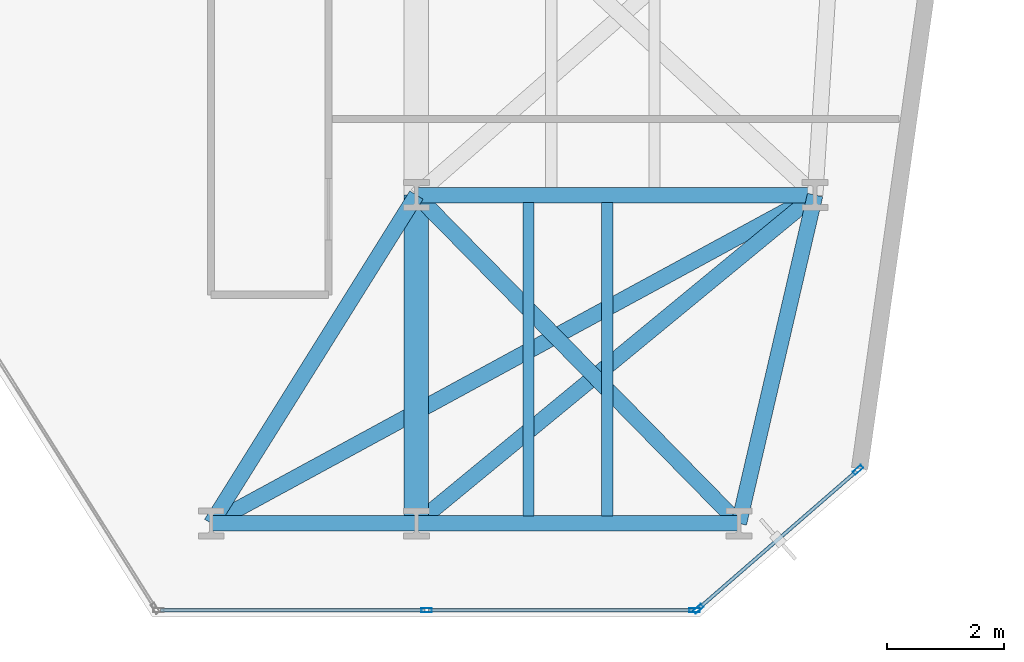
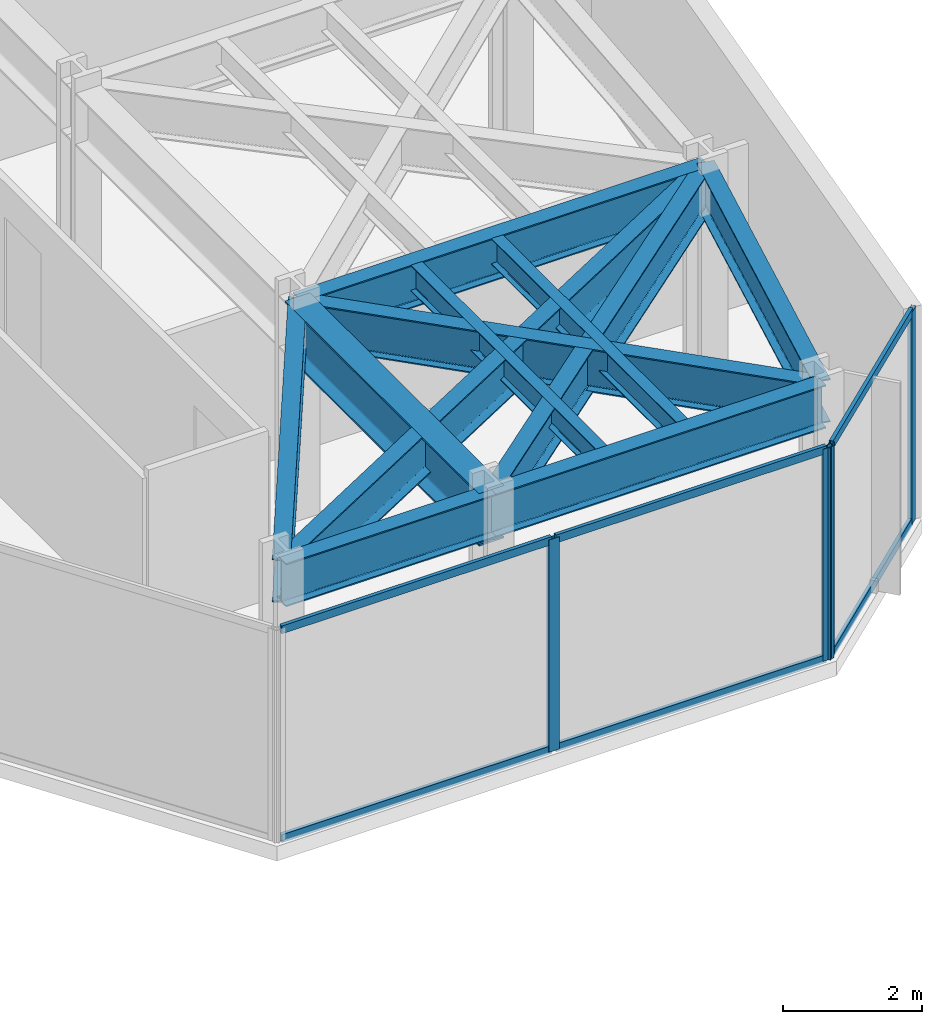
# One storey, part 13 of 25: 11 beams, 10 members, 2 elements without a shape of their own.
"""IFC4 building model written with IfcOpenShell, lengths in metres."""

from ifc_helpers import new_model, si_unit, direction, frame, origin, origin_2d, place, context, subcontext, project, spatial, hollow_rectangle, i_section, extrude, material, layer, layer_set, material_profile, profile_set, type_object, element, aggregate, save


model = new_model("IFC4")

# Units and contexts
model_context = context("Model", 3, precision=1e-05, world=origin(), true_north=direction((0.0, 1.0)))
body_context = subcontext(model_context, "Body", "Model", "MODEL_VIEW")
ifc_project = project(units=[si_unit("LENGTHUNIT", "METRE"), si_unit("AREAUNIT", "SQUARE_METRE"), si_unit("VOLUMEUNIT", "CUBIC_METRE"), si_unit("PLANEANGLEUNIT", "RADIAN"), si_unit("MASSUNIT", "GRAM", prefix="KILO")], contexts=[model_context])

# Site, building, storey
site_placement = place(None, origin())
site = spatial("IfcSite", under=ifc_project, at=site_placement, CompositionType="ELEMENT")
building_placement = place(site_placement, origin())
building = spatial("IfcBuilding", under=site, at=building_placement, Name="Kravanh Interchange Tower", CompositionType="ELEMENT")
storey_placement = place(building_placement, frame((0.0, 0.0, 57.5)))
storey = spatial("IfcBuildingStorey", under=building, at=storey_placement, Name="L13", CompositionType="ELEMENT", Elevation=57.5)

# Curtain wall, members
ifc_material_1 = material(Name="Anodised Bronze Aluminium", Category="aluminium")
ifc_layer = layer(ifc_material_1, 0.179931640625)
ifc_layer_set = layer_set([ifc_layer], Name="Unitised Curtain Wall System CW-Z1 Lower Office")
curtain_wall_type = type_object("IfcCurtainWallType", Name="Unitised Curtain Wall System CW-Z1 Lower Office", PredefinedType="NOTDEFINED", material=ifc_layer_set)
curtain_wall_1_placement = place(storey_placement, origin())
curtain_wall_1 = element("IfcCurtainWall", 1, at=curtain_wall_1_placement, inside=storey, type_object=curtain_wall_type, Name="L13 Unitised Curtain Wall CW-L13-02", PredefinedType="NOTDEFINED")
ifc_material_2 = material(Name="Anodised Bronze Aluminium", Category="aluminium")
ifc_material_profile_1 = material_profile(ifc_material_2, hollow_rectangle(XDim=0.070068359375, YDim=0.179931640625, WallThickness=0.00390625, at=origin_2d()), Name="ALU70X180X4")
ifc_profile_set_1 = profile_set([ifc_material_profile_1], Name="Anodised Bronze Aluminium")
member_type_1 = type_object("IfcMemberType", Name="Curtain Wall Mullion ALU70X180X4 Bronze", PredefinedType="MULLION", material=ifc_profile_set_1)
member_1_placement = place(storey_placement, frame((63.533203125, 3.513916015625, 0.0), z_axis=(0.0, 0.0, 1.0), x_axis=(0.656060422341, -0.754708368999, 0.0)))
member_1 = element("IfcMember", 2, at=member_1_placement, type_object=member_type_1, Name="CW-Z1 mullion 1", PredefinedType="MULLION", context=body_context, shape_type="SweptSolid", body=[
    extrude(hollow_rectangle(XDim=0.070068359375, YDim=0.179931640625, WallThickness=0.00390625, at=origin_2d()), origin(), (0.0, 0.0, 1.0), 3.739990234375),
])
member_2_placement = place(storey_placement, frame((60.805908203125, 1.14306640625, 0.0), z_axis=(0.0, 0.0, 1.0), x_axis=(0.656060422341, -0.754708368999, 0.0)))
member_2 = element("IfcMember", 3, at=member_2_placement, type_object=member_type_1, Name="CW-Z1 mullion 2", PredefinedType="MULLION", context=body_context, shape_type="SweptSolid", body=[
    extrude(hollow_rectangle(XDim=0.070068359375, YDim=0.179931640625, WallThickness=0.00390625, at=origin_2d()), origin(), (0.0, 0.0, 1.0), 3.739990234375),
])

curtain_wall_2_placement = place(storey_placement, origin())
curtain_wall_2 = element("IfcCurtainWall", 4, at=curtain_wall_2_placement, inside=storey, type_object=curtain_wall_type, Name="L13 Unitised Curtain Wall CW-L13-03", PredefinedType="NOTDEFINED")
member_3_placement = place(storey_placement, frame((60.744384765625, 1.1201171875, 0.0), z_axis=(0.0, 0.0, 1.0), x_axis=(0.0, -1.0, 0.0)))
member_3 = element("IfcMember", 5, at=member_3_placement, type_object=member_type_1, Name="CW-Z1 mullion 1", PredefinedType="MULLION", context=body_context, shape_type="SweptSolid", body=[
    extrude(hollow_rectangle(XDim=0.070068359375, YDim=0.179931640625, WallThickness=0.00390625, at=origin_2d()), origin(), (0.0, 0.0, 1.0), 3.739990234375),
])
member_4_placement = place(storey_placement, frame((56.1728515625, 1.1201171875, 0.0), z_axis=(0.0, 0.0, 1.0), x_axis=(0.0, -1.0, 0.0)))
member_4 = element("IfcMember", 6, at=member_4_placement, type_object=member_type_1, Name="CW-Z1 mullion 2", PredefinedType="MULLION", context=body_context, shape_type="SweptSolid", body=[
    extrude(hollow_rectangle(XDim=0.070068359375, YDim=0.179931640625, WallThickness=0.00390625, at=origin_2d()), origin(), (0.0, 0.0, 1.0), 3.739990234375),
])

# Member
ifc_material_3 = material(Name="Anodised Bronze Aluminium", Category="aluminium")
ifc_material_profile_2 = material_profile(ifc_material_3, hollow_rectangle(XDim=0.06005859375, YDim=0.139892578125, WallThickness=0.00390625, at=origin_2d()), Name="ALU60X140X4")
ifc_profile_set_2 = profile_set([ifc_material_profile_2], Name="Anodised Bronze Aluminium")
member_type_2 = type_object("IfcMemberType", Name="Curtain Wall Transom ALU60X140X4 Bronze", PredefinedType="USERDEFINED", material=ifc_profile_set_2)
member_5_placement = place(storey_placement, frame((63.5068359375, 3.490966796875, 0.030029296875), z_axis=(-0.754710815466, -0.656057608004, 0.0), x_axis=(0.656057608004, -0.754710815466, 0.0)))
member_5 = element("IfcMember", 7, at=member_5_placement, type_object=member_type_2, Name="CW-Z1 transom 1.1", ObjectType="TRANSOM", PredefinedType="USERDEFINED", context=body_context, shape_type="SweptSolid", body=[
    extrude(hollow_rectangle(XDim=0.06005859375, YDim=0.139892578125, WallThickness=0.00390625, at=origin_2d()), origin(), (0.0, 0.0, 1.0), 3.543701171875),
])

member_6_placement = place(storey_placement, frame((63.5068359375, 3.490966796875, 3.7099609375), z_axis=(-0.754710815466, -0.656057608004, 0.0), x_axis=(0.656057608004, -0.754710815466, 0.0)))
member_6 = element("IfcMember", 8, at=member_6_placement, type_object=member_type_2, Name="CW-Z1 transom 1.2", ObjectType="TRANSOM", PredefinedType="USERDEFINED", context=body_context, shape_type="SweptSolid", body=[
    extrude(hollow_rectangle(XDim=0.06005859375, YDim=0.139892578125, WallThickness=0.00390625, at=origin_2d()), origin(), (0.0, 0.0, 1.0), 3.543701171875),
])

aggregate(curtain_wall_1, [member_1, member_2, member_5, member_6])

member_7_placement = place(storey_placement, frame((60.70947265625, 1.1201171875, 0.030029296875), z_axis=(-1.0, 0.0, 0.0), x_axis=(0.0, -1.0, 0.0)))
member_7 = element("IfcMember", 9, at=member_7_placement, type_object=member_type_2, Name="CW-Z1 transom 1.1", ObjectType="TRANSOM", PredefinedType="USERDEFINED", context=body_context, shape_type="SweptSolid", body=[
    extrude(hollow_rectangle(XDim=0.06005859375, YDim=0.139892578125, WallThickness=0.00390625, at=origin_2d()), origin(), (0.0, 0.0, 1.0), 4.501708984375),
])

member_8_placement = place(storey_placement, frame((60.70947265625, 1.1201171875, 3.7099609375), z_axis=(-1.0, 0.0, 0.0), x_axis=(0.0, -1.0, 0.0)))
member_8 = element("IfcMember", 10, at=member_8_placement, type_object=member_type_2, Name="CW-Z1 transom 1.2", ObjectType="TRANSOM", PredefinedType="USERDEFINED", context=body_context, shape_type="SweptSolid", body=[
    extrude(hollow_rectangle(XDim=0.06005859375, YDim=0.139892578125, WallThickness=0.00390625, at=origin_2d()), origin(), (0.0, 0.0, 1.0), 4.501708984375),
])

member_9_placement = place(storey_placement, frame((56.1376953125, 1.1201171875, 0.030029296875), z_axis=(-1.0, 0.0, 0.0), x_axis=(0.0, -1.0, 0.0)))
member_9 = element("IfcMember", 11, at=member_9_placement, type_object=member_type_2, Name="CW-Z1 transom 2.1", ObjectType="TRANSOM", PredefinedType="USERDEFINED", context=body_context, shape_type="SweptSolid", body=[
    extrude(hollow_rectangle(XDim=0.06005859375, YDim=0.139892578125, WallThickness=0.00390625, at=origin_2d()), origin(), (0.0, 0.0, 1.0), 4.50146484375),
])

member_10_placement = place(storey_placement, frame((56.1376953125, 1.1201171875, 3.7099609375), z_axis=(-1.0, 0.0, 0.0), x_axis=(0.0, -1.0, 0.0)))
member_10 = element("IfcMember", 12, at=member_10_placement, type_object=member_type_2, Name="CW-Z1 transom 2.2", ObjectType="TRANSOM", PredefinedType="USERDEFINED", context=body_context, shape_type="SweptSolid", body=[
    extrude(hollow_rectangle(XDim=0.06005859375, YDim=0.139892578125, WallThickness=0.00390625, at=origin_2d()), origin(), (0.0, 0.0, 1.0), 4.50146484375),
])

aggregate(curtain_wall_2, [member_3, member_4, member_7, member_8, member_9, member_10])

# Beams
ifc_material_4 = material(Name="Structural Steel S355", Category="steel")
ifc_material_profile_3 = material_profile(ifc_material_4, i_section(OverallWidth=0.41796875, OverallDepth=0.927001953125, WebThickness=0.019287109375, FlangeThickness=0.031982421875, FilletRadius=0.028076171875, at=origin_2d()), Name="W36X231")
ifc_profile_set_3 = profile_set([ifc_material_profile_3], Name="Structural Steel S355")
beam_type_1 = type_object("IfcBeamType", Name="Floor Beam W36X231 Structural Steel S355", PredefinedType="BEAM", material=ifc_profile_set_3)
beam_1_placement = place(storey_placement, frame((56.0, 2.60009765625, 3.276611328125), z_axis=(0.0, 1.0, 0.0), x_axis=(-1.0, 0.0, 0.0)))
element("IfcBeam", 13, at=beam_1_placement, inside=storey, type_object=beam_type_1, Name="L13 Primary Floor Girder 129", PredefinedType="BEAM", context=body_context, shape_type="SweptSolid", body=[
    extrude(i_section(OverallWidth=0.41796875, OverallDepth=0.927001953125, WebThickness=0.019287109375, FlangeThickness=0.031982421875, FilletRadius=0.028076171875, at=origin_2d()), origin(), (0.0, 0.0, 1.0), 5.599853515625),
])
ifc_material_5 = material(Name="Structural Steel S355", Category="steel")
ifc_material_profile_4 = material_profile(ifc_material_5, i_section(OverallWidth=0.18994140625, OverallDepth=0.45703125, WebThickness=0.009033203125, FlangeThickness=0.014404296875, FilletRadius=0.01806640625, at=origin_2d()), Name="W18X50")
ifc_profile_set_4 = profile_set([ifc_material_profile_4], Name="Structural Steel S355")
beam_type_2 = type_object("IfcBeamType", Name="Floor Joist W18X50 Structural Steel S355", PredefinedType="JOIST", material=ifc_profile_set_4)
for number, where, z_axis, x_axis, name in (
    (14, (57.909912109375, 2.728515625, 3.511474609375), (0.0, 1.0, 0.0), (-1.0, 0.0, 0.0), "L13 Secondary Floor Joist 5"),
    (15, (59.25390625, 2.728515625, 3.511474609375), (0.0, 1.0, 0.0), (-1.0, 0.0, 0.0), "L13 Secondary Floor Joist 6"),
):
    element("IfcBeam", number, at=place(storey_placement, frame(where, z_axis=z_axis, x_axis=x_axis)), inside=storey, type_object=beam_type_2, Name=name, PredefinedType="JOIST", context=body_context, shape_type="SweptSolid", body=[
        extrude(i_section(OverallWidth=0.18994140625, OverallDepth=0.45703125, WebThickness=0.009033203125, FlangeThickness=0.014404296875, FilletRadius=0.01806640625, at=origin_2d()), origin(), (0.0, 0.0, 1.0), 5.343017578125),
    ])
ifc_material_6 = material(Name="Structural Steel S355", Category="steel")
ifc_material_profile_5 = material_profile(ifc_material_6, i_section(OverallWidth=0.26708984375, OverallDepth=0.761962890625, WebThickness=0.014404296875, FlangeThickness=0.021484375, FilletRadius=0.02490234375, at=origin_2d()), Name="W30X116")
ifc_profile_set_5 = profile_set([ifc_material_profile_5], Name="Structural Steel S355")
beam_type_3 = type_object("IfcBeamType", Name="Floor Spandrel W30X116 Structural Steel S355", PredefinedType="SPANDREL", material=ifc_profile_set_5)
beam_2_placement = place(storey_placement, frame((52.5, 2.60009765625, 3.35888671875), z_axis=(1.0, 0.0, 0.0), x_axis=(0.0, 1.0, 0.0)))
element("IfcBeam", 16, at=beam_2_placement, inside=storey, type_object=beam_type_3, Name="L13 Perimeter Spandrel 125", PredefinedType="SPANDREL", context=body_context, shape_type="SweptSolid", body=[
    extrude(i_section(OverallWidth=0.26708984375, OverallDepth=0.761962890625, WebThickness=0.014404296875, FlangeThickness=0.021484375, FilletRadius=0.02490234375, at=origin_2d()), origin(), (0.0, 0.0, 1.0), 3.5),
])
beam_3_placement = place(storey_placement, frame((52.5, 2.60009765625, 3.35888671875), z_axis=(0.530008909536, 0.847992072965, 0.0), x_axis=(-0.847992072965, 0.530008909536, 0.0)))
element("IfcBeam", 17, at=beam_3_placement, inside=storey, type_object=beam_type_3, Name="L13 Perimeter Spandrel 126", PredefinedType="SPANDREL", context=body_context, shape_type="SweptSolid", body=[
    extrude(i_section(OverallWidth=0.26708984375, OverallDepth=0.761962890625, WebThickness=0.014404296875, FlangeThickness=0.021484375, FilletRadius=0.02490234375, at=origin_2d()), origin(), (0.0, 0.0, 1.0), 6.603759765625),
])
beam_4_placement = place(storey_placement, frame((52.5, 2.60009765625, 3.35888671875), z_axis=(0.878552895081, 0.47764506754, 0.0), x_axis=(-0.47764506754, 0.878552895081, 0.0)))
element("IfcBeam", 18, at=beam_4_placement, inside=storey, type_object=beam_type_3, Name="L13 Perimeter Spandrel 127", PredefinedType="SPANDREL", context=body_context, shape_type="SweptSolid", body=[
    extrude(i_section(OverallWidth=0.26708984375, OverallDepth=0.761962890625, WebThickness=0.014404296875, FlangeThickness=0.021484375, FilletRadius=0.02490234375, at=origin_2d()), origin(), (0.0, 0.0, 1.0), 11.723876953125),
])
beam_5_placement = place(storey_placement, frame((56.0, 2.60009765625, 3.35888671875), z_axis=(1.0, 0.0, 0.0), x_axis=(0.0, 1.0, 0.0)))
element("IfcBeam", 19, at=beam_5_placement, inside=storey, type_object=beam_type_3, Name="L13 Perimeter Spandrel 128", PredefinedType="SPANDREL", context=body_context, shape_type="SweptSolid", body=[
    extrude(i_section(OverallWidth=0.26708984375, OverallDepth=0.761962890625, WebThickness=0.014404296875, FlangeThickness=0.021484375, FilletRadius=0.02490234375, at=origin_2d()), origin(), (0.0, 0.0, 1.0), 5.5),
])
beam_6_placement = place(storey_placement, frame((56.0, 2.60009765625, 3.35888671875), z_axis=(0.771940635711, 0.635694623965, 0.0), x_axis=(-0.635694623965, 0.771940635711, 0.0)))
element("IfcBeam", 20, at=beam_6_placement, inside=storey, type_object=beam_type_3, Name="L13 Perimeter Spandrel 130", PredefinedType="SPANDREL", context=body_context, shape_type="SweptSolid", body=[
    extrude(i_section(OverallWidth=0.26708984375, OverallDepth=0.761962890625, WebThickness=0.014404296875, FlangeThickness=0.021484375, FilletRadius=0.02490234375, at=origin_2d()), origin(), (0.0, 0.0, 1.0), 8.80908203125),
])
beam_7_placement = place(storey_placement, frame((61.5, 2.60009765625, 3.35888671875), z_axis=(0.226143379252, 0.974094026273, 0.0), x_axis=(-0.974094026273, 0.226143379252, 0.0)))
element("IfcBeam", 21, at=beam_7_placement, inside=storey, type_object=beam_type_3, Name="L13 Perimeter Spandrel 131", PredefinedType="SPANDREL", context=body_context, shape_type="SweptSolid", body=[
    extrude(i_section(OverallWidth=0.26708984375, OverallDepth=0.761962890625, WebThickness=0.014404296875, FlangeThickness=0.021484375, FilletRadius=0.02490234375, at=origin_2d()), origin(), (0.0, 0.0, 1.0), 5.748779296875),
])
beam_8_placement = place(storey_placement, frame((61.5, 2.60009765625, 3.35888671875), z_axis=(-0.700717344595, 0.71343899738, 0.0), x_axis=(-0.71343899738, -0.700717344595, 0.0)))
element("IfcBeam", 22, at=beam_8_placement, inside=storey, type_object=beam_type_3, Name="L13 Perimeter Spandrel 132", PredefinedType="SPANDREL", context=body_context, shape_type="SweptSolid", body=[
    extrude(i_section(OverallWidth=0.26708984375, OverallDepth=0.761962890625, WebThickness=0.014404296875, FlangeThickness=0.021484375, FilletRadius=0.02490234375, at=origin_2d()), origin(), (0.0, 0.0, 1.0), 7.84912109375),
])
beam_9_placement = place(storey_placement, frame((56.0, 8.199951171875, 3.35888671875), z_axis=(1.0, 0.0, 0.0), x_axis=(0.0, 1.0, 0.0)))
element("IfcBeam", 23, at=beam_9_placement, inside=storey, type_object=beam_type_3, Name="L13 Perimeter Spandrel 142", PredefinedType="SPANDREL", context=body_context, shape_type="SweptSolid", body=[
    extrude(i_section(OverallWidth=0.26708984375, OverallDepth=0.761962890625, WebThickness=0.014404296875, FlangeThickness=0.021484375, FilletRadius=0.02490234375, at=origin_2d()), origin(), (0.0, 0.0, 1.0), 6.800048828125),
])

save(model, "model.ifc")
